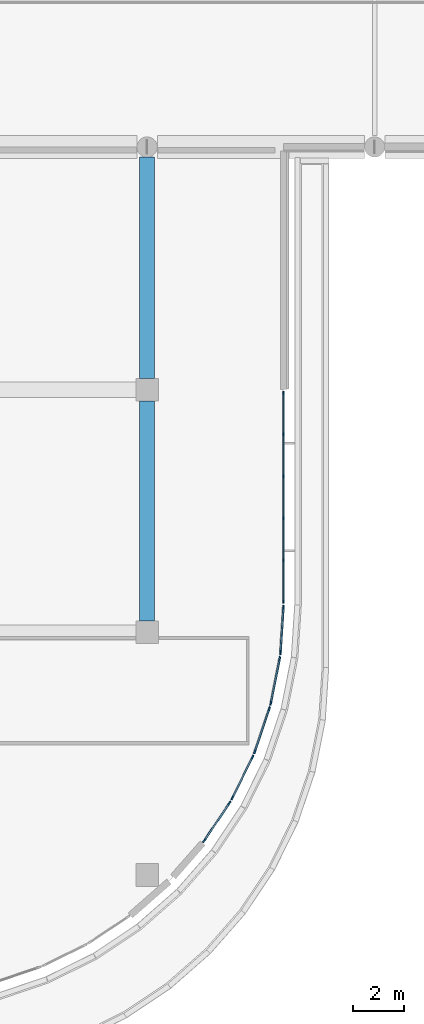
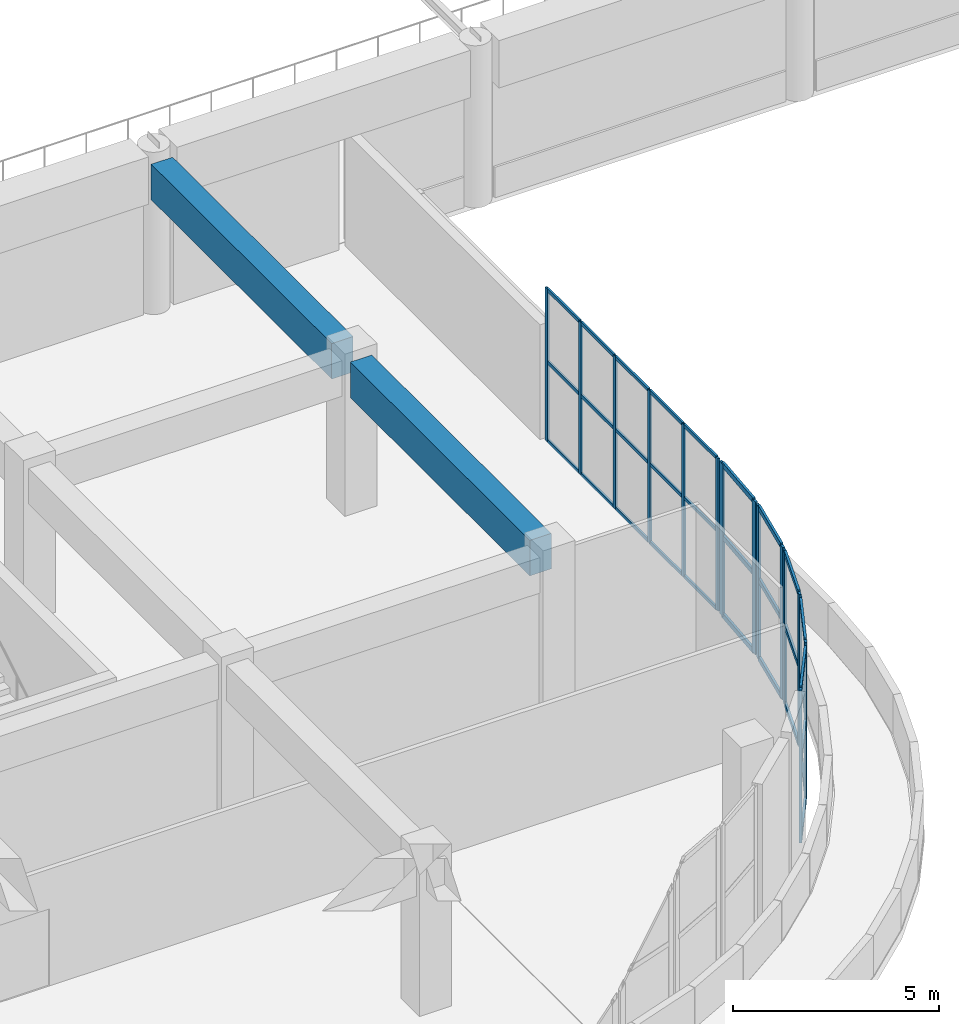
# One storey, part 36 of 96: 46 members, 2 beams, 6 elements without a shape of their own.
"""IFC4 building model written with IfcOpenShell, lengths in metres."""

from ifc_helpers import new_model, si_unit, direction, frame, origin, origin_2d, place, context, subcontext, project, spatial, rectangle, extrude, material, layer, layer_set, material_profile, profile_set, type_object, element, aggregate, save


model = new_model("IFC4")

# Units and contexts
model_context = context("Model", 3, precision=1e-05, world=origin(), true_north=direction((0.0, 1.0)))
body_context = subcontext(model_context, "Body", "Model", "MODEL_VIEW")
ifc_project = project(units=[si_unit("LENGTHUNIT", "METRE"), si_unit("AREAUNIT", "SQUARE_METRE"), si_unit("VOLUMEUNIT", "CUBIC_METRE"), si_unit("PLANEANGLEUNIT", "RADIAN"), si_unit("MASSUNIT", "GRAM", prefix="KILO")], contexts=[model_context])

# Site, building, storey
site_placement = place(None, origin())
site = spatial("IfcSite", under=ifc_project, at=site_placement, CompositionType="ELEMENT")
building_placement = place(site_placement, origin())
building = spatial("IfcBuilding", under=site, at=building_placement, Name="Cendralis Terraced Arcade", CompositionType="ELEMENT")
storey_placement = place(building_placement, frame((0.0, 0.0, 10.199951171875)))
storey = spatial("IfcBuildingStorey", under=building, at=storey_placement, Name="L02", CompositionType="ELEMENT", Elevation=10.199951171875)

# Beams
ifc_material_1 = material(Name="Concrete f'c 35 MPa", Category="concrete")
ifc_material_profile_1 = material_profile(ifc_material_1, rectangle(XDim=0.60009765625, YDim=1.050048828125, at=origin_2d()), Name="RC-BM-600x1050", Category="LoadBearing")
ifc_profile_set_1 = profile_set([ifc_material_profile_1], Name="Concrete f'c 35 MPa")
beam_type = type_object("IfcBeamType", Name="BM-600x1050", PredefinedType="JOIST", material=ifc_profile_set_1)
beam_1_placement = place(storey_placement, frame((130.199951171875, 19.64990234375, 3.989990234375), z_axis=(0.0, 1.0, 0.0), x_axis=(-1.0, 0.0, 0.0)))
element("IfcBeam", 1, at=beam_1_placement, inside=storey, type_object=beam_type, Name="Reinforced Concrete Frame Beam BM-Y-L03-15-C_D", PredefinedType="JOIST", context=body_context, shape_type="SweptSolid", body=[
    extrude(rectangle(XDim=0.60009765625, YDim=1.050048828125, at=origin_2d()), origin(), (0.0, 0.0, 1.0), 8.7001953125),
])
beam_2_placement = place(storey_placement, frame((130.199951171875, 29.25, 3.989990234375), z_axis=(0.0, 1.0, 0.0), x_axis=(-1.0, 0.0, 0.0)))
element("IfcBeam", 2, at=beam_2_placement, inside=storey, type_object=beam_type, Name="Reinforced Concrete Frame Beam BM-Y-L03-15-D_E", PredefinedType="JOIST", context=body_context, shape_type="SweptSolid", body=[
    extrude(rectangle(XDim=0.60009765625, YDim=1.050048828125, at=origin_2d()), origin(), (0.0, 0.0, 1.0), 8.75),
])

# Curtain wall, members
ifc_material_2 = material(Name="Anodised aluminium EN AW-6063 T6", Category="aluminium")
ifc_layer_1 = layer(ifc_material_2, 0.1201171875, Name="CW-STORE-B")
ifc_layer_set_1 = layer_set([ifc_layer_1], Name="Anodised aluminium EN AW-6063 T6")
curtain_wall_type_1 = type_object("IfcCurtainWallType", Name="CW-STORE-B", PredefinedType="USERDEFINED", material=ifc_layer_set_1)
curtain_wall_1_placement = place(storey_placement, origin())
curtain_wall_1 = element("IfcCurtainWall", 3, at=curtain_wall_1_placement, inside=storey, type_object=curtain_wall_type_1, Name="Exterior Storefront Glazing CW-L02-0178", ObjectType="STOREFRONT GLAZING", PredefinedType="USERDEFINED")
ifc_material_profile_2 = material_profile(ifc_material_2, rectangle(XDim=0.054931640625, YDim=0.1201171875, at=origin_2d()), Name="ALU-MUL-55x120")
ifc_profile_set_2 = profile_set([ifc_material_profile_2], Name="Anodised aluminium EN AW-6063 T6")
member_type_1 = type_object("IfcMemberType", Name="CW-STORE-B-MUL", PredefinedType="MULLION", material=ifc_profile_set_2)
member_1_placement = place(storey_placement, frame((135.60009765625, 28.6826171875, 0.0), z_axis=(0.0, 0.0, 1.0), x_axis=(1.0, 0.0, 0.0)))
member_1 = element("IfcMember", 4, at=member_1_placement, type_object=member_type_1, Name="CW-S2 mullion 1", PredefinedType="MULLION", context=body_context, shape_type="SweptSolid", body=[
    extrude(rectangle(XDim=0.054931640625, YDim=0.1201171875, at=origin_2d()), origin(), (0.0, 0.0, 1.0), 4.51513671875),
])
member_2_placement = place(storey_placement, frame((135.60009765625, 27.0458984375, 0.0), z_axis=(0.0, 0.0, 1.0), x_axis=(1.0, 0.0, 0.0)))
member_2 = element("IfcMember", 5, at=member_2_placement, type_object=member_type_1, Name="CW-S2 mullion 2", PredefinedType="MULLION", context=body_context, shape_type="SweptSolid", body=[
    extrude(rectangle(XDim=0.054931640625, YDim=0.1201171875, at=origin_2d()), origin(), (0.0, 0.0, 1.0), 4.51513671875),
])
member_3_placement = place(storey_placement, frame((135.60009765625, 25.382080078125, 0.0), z_axis=(0.0, 0.0, 1.0), x_axis=(1.0, 0.0, 0.0)))
member_3 = element("IfcMember", 6, at=member_3_placement, type_object=member_type_1, Name="CW-S2 mullion 3", PredefinedType="MULLION", context=body_context, shape_type="SweptSolid", body=[
    extrude(rectangle(XDim=0.054931640625, YDim=0.1201171875, at=origin_2d()), origin(), (0.0, 0.0, 1.0), 4.51513671875),
])
member_4_placement = place(storey_placement, frame((135.60009765625, 23.718017578125, 0.0), z_axis=(0.0, 0.0, 1.0), x_axis=(1.0, 0.0, 0.0)))
member_4 = element("IfcMember", 7, at=member_4_placement, type_object=member_type_1, Name="CW-S2 mullion 4", PredefinedType="MULLION", context=body_context, shape_type="SweptSolid", body=[
    extrude(rectangle(XDim=0.054931640625, YDim=0.1201171875, at=origin_2d()), origin(), (0.0, 0.0, 1.0), 4.51513671875),
])
member_5_placement = place(storey_placement, frame((135.60009765625, 22.053955078125, 0.0), z_axis=(0.0, 0.0, 1.0), x_axis=(1.0, 0.0, 0.0)))
member_5 = element("IfcMember", 8, at=member_5_placement, type_object=member_type_1, Name="CW-S2 mullion 5", PredefinedType="MULLION", context=body_context, shape_type="SweptSolid", body=[
    extrude(rectangle(XDim=0.054931640625, YDim=0.1201171875, at=origin_2d()), origin(), (0.0, 0.0, 1.0), 4.51513671875),
])
member_6_placement = place(storey_placement, frame((135.60009765625, 20.41748046875, 0.0), z_axis=(0.0, 0.0, 1.0), x_axis=(1.0, 0.0, 0.0)))
member_6 = element("IfcMember", 9, at=member_6_placement, type_object=member_type_1, Name="CW-S2 mullion 6", PredefinedType="MULLION", context=body_context, shape_type="SweptSolid", body=[
    extrude(rectangle(XDim=0.054931640625, YDim=0.1201171875, at=origin_2d()), origin(), (0.0, 0.0, 1.0), 4.51513671875),
])
ifc_material_profile_3 = material_profile(ifc_material_2, rectangle(XDim=0.054931640625, YDim=0.10009765625, at=origin_2d()), Name="ALU-TRN-55x100")
ifc_profile_set_3 = profile_set([ifc_material_profile_3], Name="Anodised aluminium EN AW-6063 T6")
member_type_2 = type_object("IfcMemberType", Name="CW-STORE-B-TRN", PredefinedType="USERDEFINED", material=ifc_profile_set_3)
member_7_placement = place(storey_placement, frame((135.60009765625, 28.655029296875, 0.027587890625), z_axis=(0.0, -1.0, 0.0), x_axis=(1.0, 0.0, 0.0)))
member_7 = element("IfcMember", 10, at=member_7_placement, type_object=member_type_2, Name="CW-S2 transom 1.1", ObjectType="TRANSOM", PredefinedType="USERDEFINED", context=body_context, shape_type="SweptSolid", body=[
    extrude(rectangle(XDim=0.054931640625, YDim=0.10009765625, at=origin_2d()), origin(), (0.0, 0.0, 1.0), 1.58154296875),
])
member_8_placement = place(storey_placement, frame((135.60009765625, 28.655029296875, 2.347900390625), z_axis=(0.0, -1.0, 0.0), x_axis=(1.0, 0.0, 0.0)))
member_8 = element("IfcMember", 11, at=member_8_placement, type_object=member_type_2, Name="CW-S2 transom 1.2", ObjectType="TRANSOM", PredefinedType="USERDEFINED", context=body_context, shape_type="SweptSolid", body=[
    extrude(rectangle(XDim=0.054931640625, YDim=0.10009765625, at=origin_2d()), origin(), (0.0, 0.0, 1.0), 1.58154296875),
])
member_9_placement = place(storey_placement, frame((135.60009765625, 28.655029296875, 4.487548828125), z_axis=(0.0, -1.0, 0.0), x_axis=(1.0, 0.0, 0.0)))
member_9 = element("IfcMember", 12, at=member_9_placement, type_object=member_type_2, Name="CW-S2 transom 1.3", ObjectType="TRANSOM", PredefinedType="USERDEFINED", context=body_context, shape_type="SweptSolid", body=[
    extrude(rectangle(XDim=0.054931640625, YDim=0.10009765625, at=origin_2d()), origin(), (0.0, 0.0, 1.0), 1.58154296875),
])
member_10_placement = place(storey_placement, frame((135.60009765625, 27.0185546875, 0.027587890625), z_axis=(0.0, -1.0, 0.0), x_axis=(1.0, 0.0, 0.0)))
member_10 = element("IfcMember", 13, at=member_10_placement, type_object=member_type_2, Name="CW-S2 transom 2.1", ObjectType="TRANSOM", PredefinedType="USERDEFINED", context=body_context, shape_type="SweptSolid", body=[
    extrude(rectangle(XDim=0.054931640625, YDim=0.10009765625, at=origin_2d()), origin(), (0.0, 0.0, 1.0), 1.609130859375),
])
member_11_placement = place(storey_placement, frame((135.60009765625, 27.0185546875, 2.347900390625), z_axis=(0.0, -1.0, 0.0), x_axis=(1.0, 0.0, 0.0)))
member_11 = element("IfcMember", 14, at=member_11_placement, type_object=member_type_2, Name="CW-S2 transom 2.2", ObjectType="TRANSOM", PredefinedType="USERDEFINED", context=body_context, shape_type="SweptSolid", body=[
    extrude(rectangle(XDim=0.054931640625, YDim=0.10009765625, at=origin_2d()), origin(), (0.0, 0.0, 1.0), 1.609130859375),
])
member_12_placement = place(storey_placement, frame((135.60009765625, 27.0185546875, 4.487548828125), z_axis=(0.0, -1.0, 0.0), x_axis=(1.0, 0.0, 0.0)))
member_12 = element("IfcMember", 15, at=member_12_placement, type_object=member_type_2, Name="CW-S2 transom 2.3", ObjectType="TRANSOM", PredefinedType="USERDEFINED", context=body_context, shape_type="SweptSolid", body=[
    extrude(rectangle(XDim=0.054931640625, YDim=0.10009765625, at=origin_2d()), origin(), (0.0, 0.0, 1.0), 1.609130859375),
])
member_13_placement = place(storey_placement, frame((135.60009765625, 25.3544921875, 0.027587890625), z_axis=(0.0, -1.0, 0.0), x_axis=(1.0, 0.0, 0.0)))
member_13 = element("IfcMember", 16, at=member_13_placement, type_object=member_type_2, Name="CW-S2 transom 3.1", ObjectType="TRANSOM", PredefinedType="USERDEFINED", context=body_context, shape_type="SweptSolid", body=[
    extrude(rectangle(XDim=0.054931640625, YDim=0.10009765625, at=origin_2d()), origin(), (0.0, 0.0, 1.0), 1.60888671875),
])
member_14_placement = place(storey_placement, frame((135.60009765625, 25.3544921875, 2.347900390625), z_axis=(0.0, -1.0, 0.0), x_axis=(1.0, 0.0, 0.0)))
member_14 = element("IfcMember", 17, at=member_14_placement, type_object=member_type_2, Name="CW-S2 transom 3.2", ObjectType="TRANSOM", PredefinedType="USERDEFINED", context=body_context, shape_type="SweptSolid", body=[
    extrude(rectangle(XDim=0.054931640625, YDim=0.10009765625, at=origin_2d()), origin(), (0.0, 0.0, 1.0), 1.60888671875),
])
member_15_placement = place(storey_placement, frame((135.60009765625, 25.3544921875, 4.487548828125), z_axis=(0.0, -1.0, 0.0), x_axis=(1.0, 0.0, 0.0)))
member_15 = element("IfcMember", 18, at=member_15_placement, type_object=member_type_2, Name="CW-S2 transom 3.3", ObjectType="TRANSOM", PredefinedType="USERDEFINED", context=body_context, shape_type="SweptSolid", body=[
    extrude(rectangle(XDim=0.054931640625, YDim=0.10009765625, at=origin_2d()), origin(), (0.0, 0.0, 1.0), 1.60888671875),
])
member_16_placement = place(storey_placement, frame((135.60009765625, 23.6904296875, 0.027587890625), z_axis=(0.0, -1.0, 0.0), x_axis=(1.0, 0.0, 0.0)))
member_16 = element("IfcMember", 19, at=member_16_placement, type_object=member_type_2, Name="CW-S2 transom 4.1", ObjectType="TRANSOM", PredefinedType="USERDEFINED", context=body_context, shape_type="SweptSolid", body=[
    extrude(rectangle(XDim=0.054931640625, YDim=0.10009765625, at=origin_2d()), origin(), (0.0, 0.0, 1.0), 1.60888671875),
])
member_17_placement = place(storey_placement, frame((135.60009765625, 23.6904296875, 2.347900390625), z_axis=(0.0, -1.0, 0.0), x_axis=(1.0, 0.0, 0.0)))
member_17 = element("IfcMember", 20, at=member_17_placement, type_object=member_type_2, Name="CW-S2 transom 4.2", ObjectType="TRANSOM", PredefinedType="USERDEFINED", context=body_context, shape_type="SweptSolid", body=[
    extrude(rectangle(XDim=0.054931640625, YDim=0.10009765625, at=origin_2d()), origin(), (0.0, 0.0, 1.0), 1.60888671875),
])
member_18_placement = place(storey_placement, frame((135.60009765625, 23.6904296875, 4.487548828125), z_axis=(0.0, -1.0, 0.0), x_axis=(1.0, 0.0, 0.0)))
member_18 = element("IfcMember", 21, at=member_18_placement, type_object=member_type_2, Name="CW-S2 transom 4.3", ObjectType="TRANSOM", PredefinedType="USERDEFINED", context=body_context, shape_type="SweptSolid", body=[
    extrude(rectangle(XDim=0.054931640625, YDim=0.10009765625, at=origin_2d()), origin(), (0.0, 0.0, 1.0), 1.60888671875),
])
member_19_placement = place(storey_placement, frame((135.60009765625, 22.026611328125, 0.027587890625), z_axis=(0.0, -1.0, 0.0), x_axis=(1.0, 0.0, 0.0)))
member_19 = element("IfcMember", 22, at=member_19_placement, type_object=member_type_2, Name="CW-S2 transom 5.1", ObjectType="TRANSOM", PredefinedType="USERDEFINED", context=body_context, shape_type="SweptSolid", body=[
    extrude(rectangle(XDim=0.054931640625, YDim=0.10009765625, at=origin_2d()), origin(), (0.0, 0.0, 1.0), 1.58154296875),
])
member_20_placement = place(storey_placement, frame((135.60009765625, 22.026611328125, 2.347900390625), z_axis=(0.0, -1.0, 0.0), x_axis=(1.0, 0.0, 0.0)))
member_20 = element("IfcMember", 23, at=member_20_placement, type_object=member_type_2, Name="CW-S2 transom 5.2", ObjectType="TRANSOM", PredefinedType="USERDEFINED", context=body_context, shape_type="SweptSolid", body=[
    extrude(rectangle(XDim=0.054931640625, YDim=0.10009765625, at=origin_2d()), origin(), (0.0, 0.0, 1.0), 1.58154296875),
])
member_21_placement = place(storey_placement, frame((135.60009765625, 22.026611328125, 4.487548828125), z_axis=(0.0, -1.0, 0.0), x_axis=(1.0, 0.0, 0.0)))
member_21 = element("IfcMember", 24, at=member_21_placement, type_object=member_type_2, Name="CW-S2 transom 5.3", ObjectType="TRANSOM", PredefinedType="USERDEFINED", context=body_context, shape_type="SweptSolid", body=[
    extrude(rectangle(XDim=0.054931640625, YDim=0.10009765625, at=origin_2d()), origin(), (0.0, 0.0, 1.0), 1.58154296875),
])
aggregate(curtain_wall_1, [member_1, member_2, member_3, member_4, member_5, member_6, member_7, member_8, member_9, member_10, member_11, member_12, member_13, member_14, member_15, member_16, member_17, member_18, member_19, member_20, member_21])

ifc_layer_2 = layer(ifc_material_2, 0.179931640625, Name="CW-UNIT-A")
ifc_layer_set_2 = layer_set([ifc_layer_2], Name="Anodised aluminium EN AW-6063 T6")
curtain_wall_type_2 = type_object("IfcCurtainWallType", Name="CW-UNIT-A", PredefinedType="USERDEFINED", material=ifc_layer_set_2)
curtain_wall_2_placement = place(storey_placement, origin())
curtain_wall_2 = element("IfcCurtainWall", 25, at=curtain_wall_2_placement, inside=storey, type_object=curtain_wall_type_2, Name="Exterior Unitised Facade CW-L02-0179", ObjectType="UNITISED FACADE", PredefinedType="USERDEFINED")
ifc_material_profile_4 = material_profile(ifc_material_2, rectangle(XDim=0.06494140625, YDim=0.179931640625, at=origin_2d()), Name="ALU-MUL-65x180")
ifc_profile_set_4 = profile_set([ifc_material_profile_4], Name="Anodised aluminium EN AW-6063 T6")
member_type_3 = type_object("IfcMemberType", Name="CW-UNIT-A-MUL", PredefinedType="MULLION", material=ifc_profile_set_4)
member_22_placement = place(storey_placement, frame((135.592041015625, 20.177734375, 0.0), z_axis=(0.0, 0.0, 1.0), x_axis=(0.997860192175, -0.065383766124, 0.0)))
member_22 = element("IfcMember", 26, at=member_22_placement, type_object=member_type_3, Name="CW-U1 mullion 1", PredefinedType="MULLION", context=body_context, shape_type="SweptSolid", body=[
    extrude(rectangle(XDim=0.06494140625, YDim=0.179931640625, at=origin_2d()), origin(), (0.0, 0.0, 1.0), 4.51513671875),
])
member_23_placement = place(storey_placement, frame((135.475341796875, 18.39892578125, 0.0), z_axis=(0.0, 0.0, 1.0), x_axis=(0.997860192175, -0.065383766124, 0.0)))
member_23 = element("IfcMember", 27, at=member_23_placement, type_object=member_type_3, Name="CW-U1 mullion 2", PredefinedType="MULLION", context=body_context, shape_type="SweptSolid", body=[
    extrude(rectangle(XDim=0.06494140625, YDim=0.179931640625, at=origin_2d()), origin(), (0.0, 0.0, 1.0), 4.51513671875),
])

curtain_wall_3_placement = place(storey_placement, origin())
curtain_wall_3 = element("IfcCurtainWall", 28, at=curtain_wall_3_placement, inside=storey, type_object=curtain_wall_type_2, Name="Exterior Unitised Facade CW-L02-0180", ObjectType="UNITISED FACADE", PredefinedType="USERDEFINED")
member_24_placement = place(storey_placement, frame((135.443359375, 18.15673828125, 0.0), z_axis=(0.0, 0.0, 1.0), x_axis=(0.980796601395, -0.195033398913, 0.0)))
member_24 = element("IfcMember", 29, at=member_24_placement, type_object=member_type_3, Name="CW-U1 mullion 1", PredefinedType="MULLION", context=body_context, shape_type="SweptSolid", body=[
    extrude(rectangle(XDim=0.06494140625, YDim=0.179931640625, at=origin_2d()), origin(), (0.0, 0.0, 1.0), 4.51513671875),
])
member_25_placement = place(storey_placement, frame((135.095947265625, 16.408447265625, 0.0), z_axis=(0.0, 0.0, 1.0), x_axis=(0.980796601395, -0.195033398913, 0.0)))
member_25 = element("IfcMember", 30, at=member_25_placement, type_object=member_type_3, Name="CW-U1 mullion 2", PredefinedType="MULLION", context=body_context, shape_type="SweptSolid", body=[
    extrude(rectangle(XDim=0.06494140625, YDim=0.179931640625, at=origin_2d()), origin(), (0.0, 0.0, 1.0), 4.51513671875),
])

curtain_wall_4_placement = place(storey_placement, origin())
curtain_wall_4 = element("IfcCurtainWall", 31, at=curtain_wall_4_placement, inside=storey, type_object=curtain_wall_type_2, Name="Exterior Unitised Facade CW-L02-0181", ObjectType="UNITISED FACADE", PredefinedType="USERDEFINED")
member_26_placement = place(storey_placement, frame((135.032470703125, 16.17236328125, 0.0), z_axis=(0.0, 0.0, 1.0), x_axis=(0.946909571674, -0.32150002033, 0.0)))
member_26 = element("IfcMember", 32, at=member_26_placement, type_object=member_type_3, Name="CW-U1 mullion 1", PredefinedType="MULLION", context=body_context, shape_type="SweptSolid", body=[
    extrude(rectangle(XDim=0.06494140625, YDim=0.179931640625, at=origin_2d()), origin(), (0.0, 0.0, 1.0), 4.51513671875),
])
member_27_placement = place(storey_placement, frame((134.45947265625, 14.484375, 0.0), z_axis=(0.0, 0.0, 1.0), x_axis=(0.946909571674, -0.32150002033, 0.0)))
member_27 = element("IfcMember", 33, at=member_27_placement, type_object=member_type_3, Name="CW-U1 mullion 2", PredefinedType="MULLION", context=body_context, shape_type="SweptSolid", body=[
    extrude(rectangle(XDim=0.06494140625, YDim=0.179931640625, at=origin_2d()), origin(), (0.0, 0.0, 1.0), 4.51513671875),
])

curtain_wall_5_placement = place(storey_placement, origin())
curtain_wall_5 = element("IfcCurtainWall", 34, at=curtain_wall_5_placement, inside=storey, type_object=curtain_wall_type_2, Name="Exterior Unitised Facade CW-L02-0182", ObjectType="UNITISED FACADE", PredefinedType="USERDEFINED")
member_28_placement = place(storey_placement, frame((134.365966796875, 14.258544921875, 0.0), z_axis=(0.0, 0.0, 1.0), x_axis=(0.896881752867, -0.442270416572, 0.0)))
member_28 = element("IfcMember", 35, at=member_28_placement, type_object=member_type_3, Name="CW-U1 mullion 1", PredefinedType="MULLION", context=body_context, shape_type="SweptSolid", body=[
    extrude(rectangle(XDim=0.06494140625, YDim=0.179931640625, at=origin_2d()), origin(), (0.0, 0.0, 1.0), 4.51513671875),
])
member_29_placement = place(storey_placement, frame((133.57763671875, 12.659912109375, 0.0), z_axis=(0.0, 0.0, 1.0), x_axis=(0.896881752867, -0.442270416572, 0.0)))
member_29 = element("IfcMember", 36, at=member_29_placement, type_object=member_type_3, Name="CW-U1 mullion 2", PredefinedType="MULLION", context=body_context, shape_type="SweptSolid", body=[
    extrude(rectangle(XDim=0.06494140625, YDim=0.179931640625, at=origin_2d()), origin(), (0.0, 0.0, 1.0), 4.51513671875),
])

curtain_wall_6_placement = place(storey_placement, origin())
curtain_wall_6 = element("IfcCurtainWall", 37, at=curtain_wall_6_placement, inside=storey, type_object=curtain_wall_type_2, Name="Exterior Unitised Facade CW-L02-0183", ObjectType="UNITISED FACADE", PredefinedType="USERDEFINED")
member_30_placement = place(storey_placement, frame((133.455322265625, 12.4482421875, 0.0), z_axis=(0.0, 0.0, 1.0), x_axis=(0.831483619587, -0.555549269065, 0.0)))
member_30 = element("IfcMember", 38, at=member_30_placement, type_object=member_type_3, Name="CW-U1 mullion 1", PredefinedType="MULLION", context=body_context, shape_type="SweptSolid", body=[
    extrude(rectangle(XDim=0.06494140625, YDim=0.179931640625, at=origin_2d()), origin(), (0.0, 0.0, 1.0), 4.51513671875),
])
member_31_placement = place(storey_placement, frame((132.465087890625, 10.966064453125, 0.0), z_axis=(0.0, 0.0, 1.0), x_axis=(0.831483619587, -0.555549269065, 0.0)))
member_31 = element("IfcMember", 39, at=member_31_placement, type_object=member_type_3, Name="CW-U1 mullion 2", PredefinedType="MULLION", context=body_context, shape_type="SweptSolid", body=[
    extrude(rectangle(XDim=0.06494140625, YDim=0.179931640625, at=origin_2d()), origin(), (0.0, 0.0, 1.0), 4.51513671875),
])

# Member
ifc_material_profile_5 = material_profile(ifc_material_2, rectangle(XDim=0.06494140625, YDim=0.14990234375, at=origin_2d()), Name="ALU-TRN-65x150")
ifc_profile_set_5 = profile_set([ifc_material_profile_5], Name="Anodised aluminium EN AW-6063 T6")
member_type_4 = type_object("IfcMemberType", Name="CW-UNIT-A-TRN", PredefinedType="USERDEFINED", material=ifc_profile_set_5)
member_32_placement = place(storey_placement, frame((135.58984375, 20.145263671875, 0.032470703125), z_axis=(-0.065386837014, -0.997859990953, 0.0), x_axis=(0.997859990953, -0.065386837014, 0.0)))
member_32 = element("IfcMember", 40, at=member_32_placement, type_object=member_type_4, Name="CW-U1 transom 1.1", ObjectType="TRANSOM", PredefinedType="USERDEFINED", context=body_context, shape_type="SweptSolid", body=[
    extrude(rectangle(XDim=0.06494140625, YDim=0.14990234375, at=origin_2d()), origin(), (0.0, 0.0, 1.0), 1.717529296875),
])

member_33_placement = place(storey_placement, frame((135.58984375, 20.145263671875, 2.347900390625), z_axis=(-0.065386837014, -0.997859990953, 0.0), x_axis=(0.997859990953, -0.065386837014, 0.0)))
member_33 = element("IfcMember", 41, at=member_33_placement, type_object=member_type_4, Name="CW-U1 transom 1.2", ObjectType="TRANSOM", PredefinedType="USERDEFINED", context=body_context, shape_type="SweptSolid", body=[
    extrude(rectangle(XDim=0.06494140625, YDim=0.14990234375, at=origin_2d()), origin(), (0.0, 0.0, 1.0), 1.717529296875),
])

member_34_placement = place(storey_placement, frame((135.58984375, 20.145263671875, 4.482666015625), z_axis=(-0.065386837014, -0.997859990953, 0.0), x_axis=(0.997859990953, -0.065386837014, 0.0)))
member_34 = element("IfcMember", 42, at=member_34_placement, type_object=member_type_4, Name="CW-U1 transom 1.3", ObjectType="TRANSOM", PredefinedType="USERDEFINED", context=body_context, shape_type="SweptSolid", body=[
    extrude(rectangle(XDim=0.06494140625, YDim=0.14990234375, at=origin_2d()), origin(), (0.0, 0.0, 1.0), 1.717529296875),
])

aggregate(curtain_wall_2, [member_22, member_23, member_32, member_33, member_34])

member_35_placement = place(storey_placement, frame((135.43701171875, 18.124755859375, 0.032470703125), z_axis=(-0.194913023269, -0.980820530658, 0.0), x_axis=(0.980820530658, -0.194913023269, 0.0)))
member_35 = element("IfcMember", 43, at=member_35_placement, type_object=member_type_4, Name="CW-U1 transom 1.1", ObjectType="TRANSOM", PredefinedType="USERDEFINED", context=body_context, shape_type="SweptSolid", body=[
    extrude(rectangle(XDim=0.06494140625, YDim=0.14990234375, at=origin_2d()), origin(), (0.0, 0.0, 1.0), 1.71728515625),
])

member_36_placement = place(storey_placement, frame((135.43701171875, 18.124755859375, 2.347900390625), z_axis=(-0.194913023269, -0.980820530658, 0.0), x_axis=(0.980820530658, -0.194913023269, 0.0)))
member_36 = element("IfcMember", 44, at=member_36_placement, type_object=member_type_4, Name="CW-U1 transom 1.2", ObjectType="TRANSOM", PredefinedType="USERDEFINED", context=body_context, shape_type="SweptSolid", body=[
    extrude(rectangle(XDim=0.06494140625, YDim=0.14990234375, at=origin_2d()), origin(), (0.0, 0.0, 1.0), 1.71728515625),
])

member_37_placement = place(storey_placement, frame((135.43701171875, 18.124755859375, 4.482666015625), z_axis=(-0.194913023269, -0.980820530658, 0.0), x_axis=(0.980820530658, -0.194913023269, 0.0)))
member_37 = element("IfcMember", 45, at=member_37_placement, type_object=member_type_4, Name="CW-U1 transom 1.3", ObjectType="TRANSOM", PredefinedType="USERDEFINED", context=body_context, shape_type="SweptSolid", body=[
    extrude(rectangle(XDim=0.06494140625, YDim=0.14990234375, at=origin_2d()), origin(), (0.0, 0.0, 1.0), 1.71728515625),
])

aggregate(curtain_wall_3, [member_24, member_25, member_35, member_36, member_37])

member_38_placement = place(storey_placement, frame((135.022216796875, 16.1416015625, 0.032470703125), z_axis=(-0.321510291592, -0.946906084256, 0.0), x_axis=(0.946906084256, -0.321510291592, 0.0)))
member_38 = element("IfcMember", 46, at=member_38_placement, type_object=member_type_4, Name="CW-U1 transom 1.1", ObjectType="TRANSOM", PredefinedType="USERDEFINED", context=body_context, shape_type="SweptSolid", body=[
    extrude(rectangle(XDim=0.06494140625, YDim=0.14990234375, at=origin_2d()), origin(), (0.0, 0.0, 1.0), 1.7177734375),
])

member_39_placement = place(storey_placement, frame((135.022216796875, 16.1416015625, 2.347900390625), z_axis=(-0.321510291592, -0.946906084256, 0.0), x_axis=(0.946906084256, -0.321510291592, 0.0)))
member_39 = element("IfcMember", 47, at=member_39_placement, type_object=member_type_4, Name="CW-U1 transom 1.2", ObjectType="TRANSOM", PredefinedType="USERDEFINED", context=body_context, shape_type="SweptSolid", body=[
    extrude(rectangle(XDim=0.06494140625, YDim=0.14990234375, at=origin_2d()), origin(), (0.0, 0.0, 1.0), 1.7177734375),
])

member_40_placement = place(storey_placement, frame((135.022216796875, 16.1416015625, 4.482666015625), z_axis=(-0.321510291592, -0.946906084256, 0.0), x_axis=(0.946906084256, -0.321510291592, 0.0)))
member_40 = element("IfcMember", 48, at=member_40_placement, type_object=member_type_4, Name="CW-U1 transom 1.3", ObjectType="TRANSOM", PredefinedType="USERDEFINED", context=body_context, shape_type="SweptSolid", body=[
    extrude(rectangle(XDim=0.06494140625, YDim=0.14990234375, at=origin_2d()), origin(), (0.0, 0.0, 1.0), 1.7177734375),
])

aggregate(curtain_wall_4, [member_26, member_27, member_38, member_39, member_40])

member_41_placement = place(storey_placement, frame((134.3515625, 14.2294921875, 0.032470703125), z_axis=(-0.442203206138, -0.896914892552, 0.0), x_axis=(0.896914892552, -0.442203206138, 0.0)))
member_41 = element("IfcMember", 49, at=member_41_placement, type_object=member_type_4, Name="CW-U1 transom 1.1", ObjectType="TRANSOM", PredefinedType="USERDEFINED", context=body_context, shape_type="SweptSolid", body=[
    extrude(rectangle(XDim=0.06494140625, YDim=0.14990234375, at=origin_2d()), origin(), (0.0, 0.0, 1.0), 1.717529296875),
])

member_42_placement = place(storey_placement, frame((134.3515625, 14.2294921875, 2.347900390625), z_axis=(-0.442203206138, -0.896914892552, 0.0), x_axis=(0.896914892552, -0.442203206138, 0.0)))
member_42 = element("IfcMember", 50, at=member_42_placement, type_object=member_type_4, Name="CW-U1 transom 1.2", ObjectType="TRANSOM", PredefinedType="USERDEFINED", context=body_context, shape_type="SweptSolid", body=[
    extrude(rectangle(XDim=0.06494140625, YDim=0.14990234375, at=origin_2d()), origin(), (0.0, 0.0, 1.0), 1.717529296875),
])

member_43_placement = place(storey_placement, frame((134.3515625, 14.2294921875, 4.482666015625), z_axis=(-0.442203206138, -0.896914892552, 0.0), x_axis=(0.896914892552, -0.442203206138, 0.0)))
member_43 = element("IfcMember", 51, at=member_43_placement, type_object=member_type_4, Name="CW-U1 transom 1.3", ObjectType="TRANSOM", PredefinedType="USERDEFINED", context=body_context, shape_type="SweptSolid", body=[
    extrude(rectangle(XDim=0.06494140625, YDim=0.14990234375, at=origin_2d()), origin(), (0.0, 0.0, 1.0), 1.717529296875),
])

aggregate(curtain_wall_5, [member_28, member_29, member_41, member_42, member_43])

member_44_placement = place(storey_placement, frame((133.437255859375, 12.421142578125, 0.032470703125), z_axis=(-0.555552851829, -0.83148122578, 0.0), x_axis=(0.83148122578, -0.555552851829, 0.0)))
member_44 = element("IfcMember", 52, at=member_44_placement, type_object=member_type_4, Name="CW-U1 transom 1.1", ObjectType="TRANSOM", PredefinedType="USERDEFINED", context=body_context, shape_type="SweptSolid", body=[
    extrude(rectangle(XDim=0.06494140625, YDim=0.14990234375, at=origin_2d()), origin(), (0.0, 0.0, 1.0), 1.71728515625),
])

member_45_placement = place(storey_placement, frame((133.437255859375, 12.421142578125, 2.347900390625), z_axis=(-0.555552851829, -0.83148122578, 0.0), x_axis=(0.83148122578, -0.555552851829, 0.0)))
member_45 = element("IfcMember", 53, at=member_45_placement, type_object=member_type_4, Name="CW-U1 transom 1.2", ObjectType="TRANSOM", PredefinedType="USERDEFINED", context=body_context, shape_type="SweptSolid", body=[
    extrude(rectangle(XDim=0.06494140625, YDim=0.14990234375, at=origin_2d()), origin(), (0.0, 0.0, 1.0), 1.71728515625),
])

member_46_placement = place(storey_placement, frame((133.437255859375, 12.421142578125, 4.482666015625), z_axis=(-0.555552851829, -0.83148122578, 0.0), x_axis=(0.83148122578, -0.555552851829, 0.0)))
member_46 = element("IfcMember", 54, at=member_46_placement, type_object=member_type_4, Name="CW-U1 transom 1.3", ObjectType="TRANSOM", PredefinedType="USERDEFINED", context=body_context, shape_type="SweptSolid", body=[
    extrude(rectangle(XDim=0.06494140625, YDim=0.14990234375, at=origin_2d()), origin(), (0.0, 0.0, 1.0), 1.71728515625),
])

aggregate(curtain_wall_6, [member_30, member_31, member_44, member_45, member_46])

save(model, "model.ifc")
